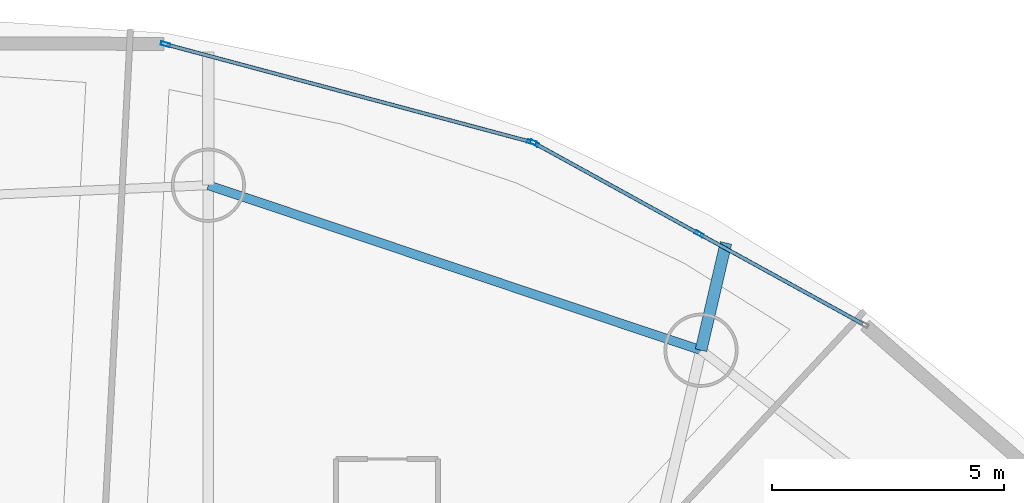
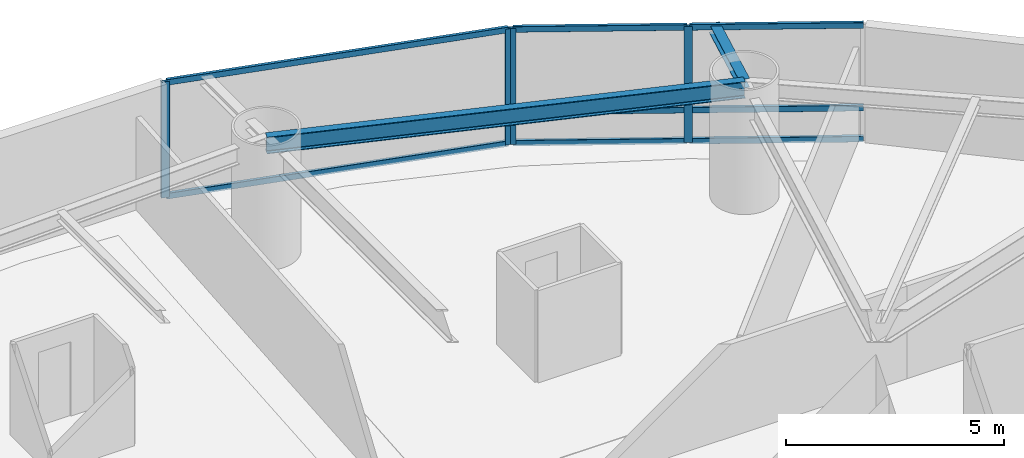
# One storey, part 13 of 23: 12 members, 2 beams, 2 elements without a shape of their own.
"""IFC4 building model written with IfcOpenShell, lengths in metres."""

from ifc_helpers import new_model, si_unit, direction, frame, origin, origin_2d, place, context, subcontext, project, spatial, hollow_rectangle, i_section, extrude, material, layer, layer_set, material_profile, profile_set, type_object, element, aggregate, save


model = new_model("IFC4")

# Units and contexts
model_context = context("Model", 3, precision=1e-05, world=origin(), true_north=direction((0.0, 1.0)))
body_context = subcontext(model_context, "Body", "Model", "MODEL_VIEW")
ifc_project = project(units=[si_unit("LENGTHUNIT", "METRE"), si_unit("AREAUNIT", "SQUARE_METRE"), si_unit("VOLUMEUNIT", "CUBIC_METRE"), si_unit("PLANEANGLEUNIT", "RADIAN"), si_unit("MASSUNIT", "GRAM", prefix="KILO")], contexts=[model_context])

# Site, building, storey
site_placement = place(None, origin())
site = spatial("IfcSite", under=ifc_project, at=site_placement, CompositionType="ELEMENT")
building_placement = place(site_placement, origin())
building = spatial("IfcBuilding", under=site, at=building_placement, Name="Bramvorn Convention Spire", CompositionType="ELEMENT")
storey_placement = place(building_placement, frame((0.0, 0.0, 65.89990234375)))
storey = spatial("IfcBuildingStorey", under=building, at=storey_placement, Name="L14", CompositionType="ELEMENT", Elevation=65.89990234375)

# Beams
ifc_material_1 = material(Name="Steel CSA G40.21 Grade 350 (350W)", Category="steel")
ifc_material_profile_1 = material_profile(ifc_material_1, i_section(OverallWidth=0.25390625, OverallDepth=0.2529296875, WebThickness=0.008544921875, FlangeThickness=0.01416015625, FilletRadius=0.011962890625, at=origin_2d()))
ifc_profile_set_1 = profile_set([ifc_material_profile_1], Name="Steel CSA G40.21 Grade 350 (350W) - W250X73")
beam_type_1 = type_object("IfcBeamType", Name="BM-W250X73", PredefinedType="BEAM", material=ifc_profile_set_1)
beam_1_placement = place(storey_placement, frame((51.59033203125, 43.509033203125, 3.12353515625), z_axis=(0.226599611761, 0.973987995793, 0.0), x_axis=(-0.973987995793, 0.226599611761, 0.0)))
element("IfcBeam", 1, at=beam_1_placement, inside=storey, type_object=beam_type_1, Name="L14 slab-edge cantilever tip beam MC04", PredefinedType="BEAM", context=body_context, shape_type="SweptSolid", body=[
    extrude(i_section(OverallWidth=0.25390625, OverallDepth=0.2529296875, WebThickness=0.008544921875, FlangeThickness=0.01416015625, FilletRadius=0.011962890625, at=origin_2d()), origin(), (0.0, 0.0, 1.0), 2.376708984375),
])
ifc_material_profile_2 = material_profile(ifc_material_1, i_section(OverallWidth=0.194091796875, OverallDepth=0.468994140625, WebThickness=0.0126953125, FlangeThickness=0.0205078125, FilletRadius=0.01806640625, at=origin_2d()))
ifc_profile_set_2 = profile_set([ifc_material_profile_2], Name="Steel CSA G40.21 Grade 350 (350W) - W460X106")
beam_type_2 = type_object("IfcBeamType", Name="BM-W460X106", PredefinedType="SPANDREL", material=ifc_profile_set_2)
beam_2_placement = place(storey_placement, frame((51.59033203125, 43.509033203125, 3.015625), z_axis=(-0.948235872727, 0.317566890078, 0.0), x_axis=(-0.317566890078, -0.948235872727, 0.0)))
element("IfcBeam", 2, at=beam_2_placement, inside=storey, type_object=beam_type_2, Name="L14 mega-column ring beam 04", PredefinedType="SPANDREL", context=body_context, shape_type="SweptSolid", body=[
    extrude(i_section(OverallWidth=0.194091796875, OverallDepth=0.468994140625, WebThickness=0.0126953125, FlangeThickness=0.0205078125, FilletRadius=0.01806640625, at=origin_2d()), origin(), (0.0, 0.0, 1.0), 11.209716796875),
])

# Curtain wall, members
ifc_material_2 = material(Name="Anodised Bronze Unitised Curtain Wall", Category="aluminium")
ifc_layer = layer(ifc_material_2, 0.179931640625)
ifc_layer_set = layer_set([ifc_layer], Name="Anodised Bronze Unitised Curtain Wall - CW-HTL-FRIT")
curtain_wall_type = type_object("IfcCurtainWallType", Name="CW-HTL-FRIT", PredefinedType="USERDEFINED", material=ifc_layer_set)
curtain_wall_1_placement = place(storey_placement, origin())
curtain_wall_1 = element("IfcCurtainWall", 3, at=curtain_wall_1_placement, inside=storey, type_object=curtain_wall_type, Name="L14 fritted glass curtain wall 05", ObjectType="UNITISED CURTAIN WALL", PredefinedType="USERDEFINED")
ifc_material_3 = material(Name="Anodised Bronze Aluminium 6063-T6", Category="aluminium")
ifc_material_profile_3 = material_profile(ifc_material_3, hollow_rectangle(XDim=0.080078125, YDim=0.199951171875, WallThickness=0.00390625, InnerFilletRadius=0.0009765625, OuterFilletRadius=0.00390625, at=origin_2d()))
ifc_profile_set_3 = profile_set([ifc_material_profile_3], Name="Anodised Bronze Aluminium 6063-T6 - CWM80X200")
member_type_1 = type_object("IfcMemberType", Name="CW-MUL-180", PredefinedType="MULLION", material=ifc_profile_set_3)
member_1_placement = place(storey_placement, frame((47.99560546875, 47.975341796875, 0.0), z_axis=(0.0, 0.0, 1.0), x_axis=(0.482156929091, 0.876084867881, 0.0)))
member_1 = element("IfcMember", 4, at=member_1_placement, type_object=member_type_1, Name="CW2 mullion 1", PredefinedType="MULLION", context=body_context, shape_type="SweptSolid", body=[
    extrude(hollow_rectangle(XDim=0.080078125, YDim=0.199951171875, WallThickness=0.00390625, InnerFilletRadius=0.0009765625, OuterFilletRadius=0.00390625, at=origin_2d()), origin(), (0.0, 0.0, 1.0), 3.25),
])
member_2_placement = place(storey_placement, frame((51.548583984375, 46.02001953125, 0.0), z_axis=(0.0, 0.0, 1.0), x_axis=(0.482156929091, 0.876084867881, 0.0)))
member_2 = element("IfcMember", 5, at=member_2_placement, type_object=member_type_1, Name="CW2 mullion 2", PredefinedType="MULLION", context=body_context, shape_type="SweptSolid", body=[
    extrude(hollow_rectangle(XDim=0.080078125, YDim=0.199951171875, WallThickness=0.00390625, InnerFilletRadius=0.0009765625, OuterFilletRadius=0.00390625, at=origin_2d()), origin(), (0.0, 0.0, 1.0), 3.25),
])

curtain_wall_2_placement = place(storey_placement, origin())
curtain_wall_2 = element("IfcCurtainWall", 6, at=curtain_wall_2_placement, inside=storey, type_object=curtain_wall_type, Name="L14 fritted glass curtain wall 06", ObjectType="UNITISED CURTAIN WALL", PredefinedType="USERDEFINED")
member_3_placement = place(storey_placement, frame((40.0361328125, 50.109130859375, 0.0), z_axis=(0.0, 0.0, 1.0), x_axis=(0.258087058833, 0.966121664214, 0.0)))
member_3 = element("IfcMember", 7, at=member_3_placement, type_object=member_type_1, Name="CW2 mullion 1", PredefinedType="MULLION", context=body_context, shape_type="SweptSolid", body=[
    extrude(hollow_rectangle(XDim=0.080078125, YDim=0.199951171875, WallThickness=0.00390625, InnerFilletRadius=0.0009765625, OuterFilletRadius=0.00390625, at=origin_2d()), origin(), (0.0, 0.0, 1.0), 3.25),
])
member_4_placement = place(storey_placement, frame((47.9404296875, 47.99755859375, 0.0), z_axis=(0.0, 0.0, 1.0), x_axis=(0.258087058833, 0.966121664214, 0.0)))
member_4 = element("IfcMember", 8, at=member_4_placement, type_object=member_type_1, Name="CW2 mullion 2", PredefinedType="MULLION", context=body_context, shape_type="SweptSolid", body=[
    extrude(hollow_rectangle(XDim=0.080078125, YDim=0.199951171875, WallThickness=0.00390625, InnerFilletRadius=0.0009765625, OuterFilletRadius=0.00390625, at=origin_2d()), origin(), (0.0, 0.0, 1.0), 3.25),
])

# Member
ifc_material_profile_4 = material_profile(ifc_material_3, hollow_rectangle(XDim=0.080078125, YDim=0.159912109375, WallThickness=0.00390625, InnerFilletRadius=0.0009765625, OuterFilletRadius=0.00390625, at=origin_2d()))
ifc_profile_set_4 = profile_set([ifc_material_profile_4], Name="Anodised Bronze Aluminium 6063-T6 - CWT80X160")
member_type_2 = type_object("IfcMemberType", Name="CW-TRN-150", PredefinedType="USERDEFINED", material=ifc_profile_set_4)
member_5_placement = place(storey_placement, frame((48.02197265625, 47.9609375, 0.030029296875), z_axis=(0.876070083205, -0.482183792047, 0.0), x_axis=(0.482183792047, 0.876070083205, 0.0)))
member_5 = element("IfcMember", 9, at=member_5_placement, type_object=member_type_2, Name="CW2 transom 1.1", ObjectType="TRANSOM", PredefinedType="USERDEFINED", context=body_context, shape_type="SweptSolid", body=[
    extrude(hollow_rectangle(XDim=0.080078125, YDim=0.159912109375, WallThickness=0.00390625, InnerFilletRadius=0.0009765625, OuterFilletRadius=0.00390625, at=origin_2d()), origin(), (0.0, 0.0, 1.0), 3.995361328125),
])

member_6_placement = place(storey_placement, frame((48.02197265625, 47.9609375, 0.900146484375), z_axis=(0.876070083205, -0.482183792047, 0.0), x_axis=(0.482183792047, 0.876070083205, 0.0)))
member_6 = element("IfcMember", 10, at=member_6_placement, type_object=member_type_2, Name="CW2 transom 1.2", ObjectType="TRANSOM", PredefinedType="USERDEFINED", context=body_context, shape_type="SweptSolid", body=[
    extrude(hollow_rectangle(XDim=0.080078125, YDim=0.159912109375, WallThickness=0.00390625, InnerFilletRadius=0.0009765625, OuterFilletRadius=0.00390625, at=origin_2d()), origin(), (0.0, 0.0, 1.0), 3.995361328125),
])

member_7_placement = place(storey_placement, frame((48.02197265625, 47.9609375, 3.22021484375), z_axis=(0.876070083205, -0.482183792047, 0.0), x_axis=(0.482183792047, 0.876070083205, 0.0)))
member_7 = element("IfcMember", 11, at=member_7_placement, type_object=member_type_2, Name="CW2 transom 1.3", ObjectType="TRANSOM", PredefinedType="USERDEFINED", context=body_context, shape_type="SweptSolid", body=[
    extrude(hollow_rectangle(XDim=0.080078125, YDim=0.159912109375, WallThickness=0.00390625, InnerFilletRadius=0.0009765625, OuterFilletRadius=0.00390625, at=origin_2d()), origin(), (0.0, 0.0, 1.0), 3.995361328125),
])

member_8_placement = place(storey_placement, frame((51.574951171875, 46.005615234375, 0.030029296875), z_axis=(0.876070083205, -0.482183792047, 0.0), x_axis=(0.482183792047, 0.876070083205, 0.0)))
member_8 = element("IfcMember", 12, at=member_8_placement, type_object=member_type_2, Name="CW2 transom 2.1", ObjectType="TRANSOM", PredefinedType="USERDEFINED", context=body_context, shape_type="SweptSolid", body=[
    extrude(hollow_rectangle(XDim=0.080078125, YDim=0.159912109375, WallThickness=0.00390625, InnerFilletRadius=0.0009765625, OuterFilletRadius=0.00390625, at=origin_2d()), origin(), (0.0, 0.0, 1.0), 3.995361328125),
])

member_9_placement = place(storey_placement, frame((51.574951171875, 46.005615234375, 0.900146484375), z_axis=(0.876070083205, -0.482183792047, 0.0), x_axis=(0.482183792047, 0.876070083205, 0.0)))
member_9 = element("IfcMember", 13, at=member_9_placement, type_object=member_type_2, Name="CW2 transom 2.2", ObjectType="TRANSOM", PredefinedType="USERDEFINED", context=body_context, shape_type="SweptSolid", body=[
    extrude(hollow_rectangle(XDim=0.080078125, YDim=0.159912109375, WallThickness=0.00390625, InnerFilletRadius=0.0009765625, OuterFilletRadius=0.00390625, at=origin_2d()), origin(), (0.0, 0.0, 1.0), 3.995361328125),
])

member_10_placement = place(storey_placement, frame((51.574951171875, 46.005615234375, 3.22021484375), z_axis=(0.876070083205, -0.482183792047, 0.0), x_axis=(0.482183792047, 0.876070083205, 0.0)))
member_10 = element("IfcMember", 14, at=member_10_placement, type_object=member_type_2, Name="CW2 transom 2.3", ObjectType="TRANSOM", PredefinedType="USERDEFINED", context=body_context, shape_type="SweptSolid", body=[
    extrude(hollow_rectangle(XDim=0.080078125, YDim=0.159912109375, WallThickness=0.00390625, InnerFilletRadius=0.0009765625, OuterFilletRadius=0.00390625, at=origin_2d()), origin(), (0.0, 0.0, 1.0), 3.995361328125),
])

aggregate(curtain_wall_1, [member_1, member_2, member_5, member_6, member_7, member_8, member_9, member_10])

member_11_placement = place(storey_placement, frame((40.065185546875, 50.101318359375, 0.030029296875), z_axis=(0.966123583724, -0.258079873243, 0.0), x_axis=(0.258079873243, 0.966123583724, 0.0)))
member_11 = element("IfcMember", 15, at=member_11_placement, type_object=member_type_2, Name="CW2 transom 1.1", ObjectType="TRANSOM", PredefinedType="USERDEFINED", context=body_context, shape_type="SweptSolid", body=[
    extrude(hollow_rectangle(XDim=0.080078125, YDim=0.159912109375, WallThickness=0.00390625, InnerFilletRadius=0.0009765625, OuterFilletRadius=0.00390625, at=origin_2d()), origin(), (0.0, 0.0, 1.0), 8.121337890625),
])

member_12_placement = place(storey_placement, frame((40.065185546875, 50.101318359375, 3.22021484375), z_axis=(0.966123583724, -0.258079873243, 0.0), x_axis=(0.258079873243, 0.966123583724, 0.0)))
member_12 = element("IfcMember", 16, at=member_12_placement, type_object=member_type_2, Name="CW2 transom 1.2", ObjectType="TRANSOM", PredefinedType="USERDEFINED", context=body_context, shape_type="SweptSolid", body=[
    extrude(hollow_rectangle(XDim=0.080078125, YDim=0.159912109375, WallThickness=0.00390625, InnerFilletRadius=0.0009765625, OuterFilletRadius=0.00390625, at=origin_2d()), origin(), (0.0, 0.0, 1.0), 8.121337890625),
])

aggregate(curtain_wall_2, [member_3, member_4, member_11, member_12])

save(model, "model.ifc")
